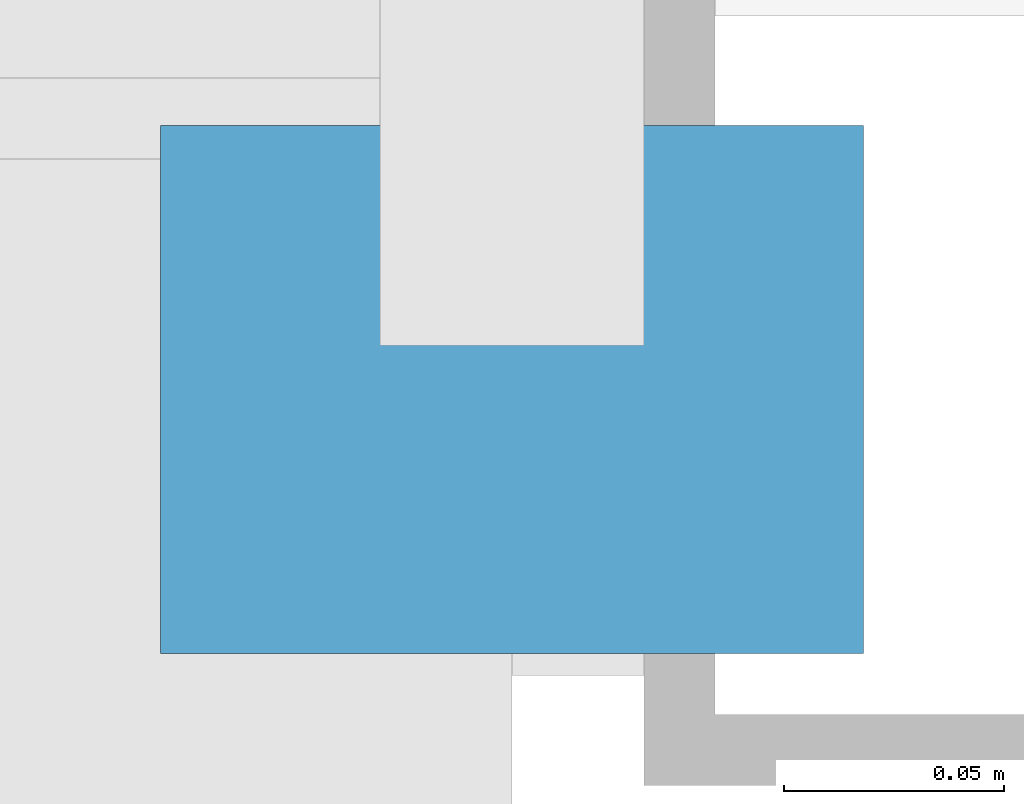
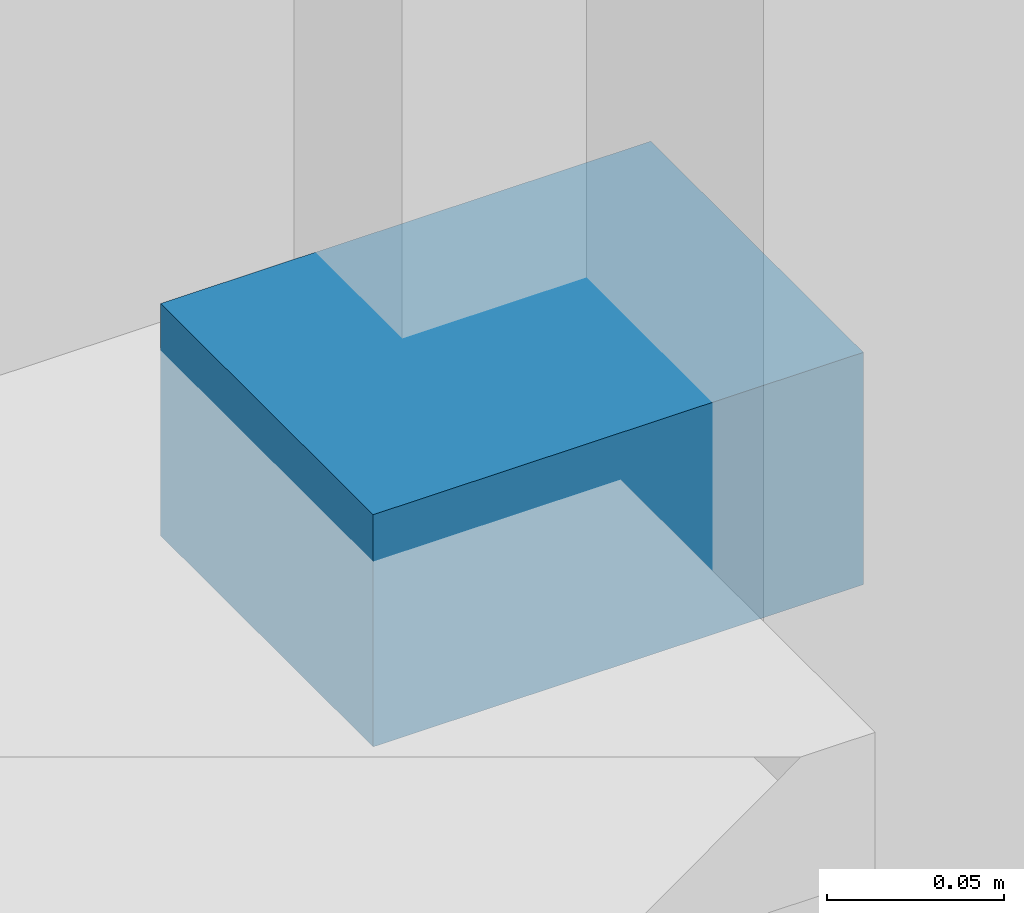
# One storey, part 44 of 53: 1 discrete accessory.
"""IFC4 building model written with IfcOpenShell, lengths in metres."""

from ifc_helpers import new_model, si_unit, direction, frame, origin, origin_2d, place, context, subcontext, project, spatial, rectangle, extrude, material, type_object, element, save


model = new_model("IFC4")

# Units and contexts
model_context = context("Model", 3, precision=1e-05, world=origin(), true_north=direction((0.0, 1.0)))
body_context = subcontext(model_context, "Body", "Model", "MODEL_VIEW")
ifc_project = project(units=[si_unit("LENGTHUNIT", "METRE"), si_unit("AREAUNIT", "SQUARE_METRE"), si_unit("VOLUMEUNIT", "CUBIC_METRE"), si_unit("PLANEANGLEUNIT", "RADIAN"), si_unit("MASSUNIT", "GRAM", prefix="KILO")], contexts=[model_context])

# Site, building, storey
site_placement = place(None, origin())
site = spatial("IfcSite", under=ifc_project, at=site_placement, CompositionType="ELEMENT")
building_placement = place(site_placement, origin())
building = spatial("IfcBuilding", under=site, at=building_placement, Name="Suzunagisa Mobility Hub", CompositionType="ELEMENT")
storey_placement = place(building_placement, frame((0.0, 0.0, 17.699951171875)))
storey = spatial("IfcBuildingStorey", under=building, at=storey_placement, Name="L04", CompositionType="ELEMENT", Elevation=17.699951171875)

# Discrete accessory
ifc_material = material(Name="Stainless Steel SUS316", Category="metal")
discrete_accessory_type = type_object("IfcDiscreteAccessoryType", Name="Stainless Sunshade Outrigger Bracket BRK-01", PredefinedType="BRACKET", material=ifc_material)
discrete_accessory_placement = place(storey_placement, frame((89.794921875, 79.9150390625, 2.760009765625), z_axis=(0.0, 0.0, 1.0), x_axis=(1.0, 0.0, 0.0)))
element("IfcDiscreteAccessory", 1, at=discrete_accessory_placement, inside=storey, type_object=discrete_accessory_type, Name="Sunshade Outrigger Bracket BRK-27.2", PredefinedType="BRACKET", context=body_context, shape_type="SweptSolid", body=[
    extrude(rectangle(XDim=0.159912109375, YDim=0.1201171875, at=origin_2d()), origin(), (0.0, 0.0, 1.0), 0.080078125),
])

save(model, "model.ifc")
